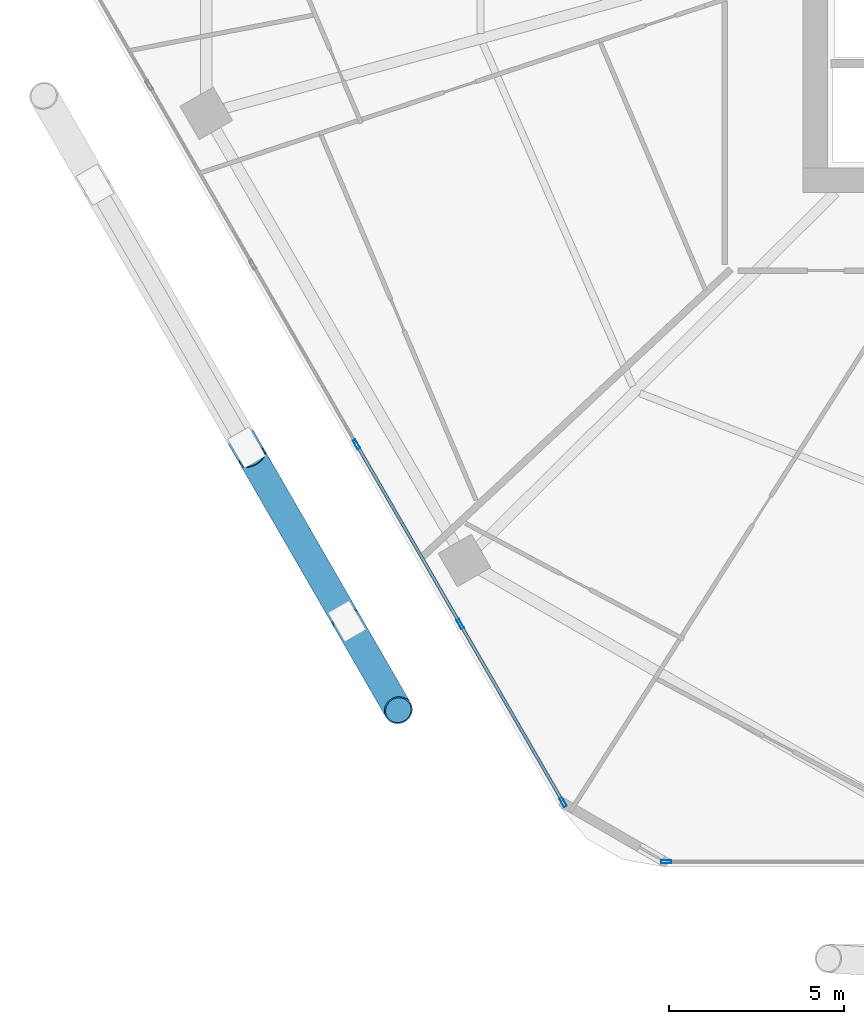
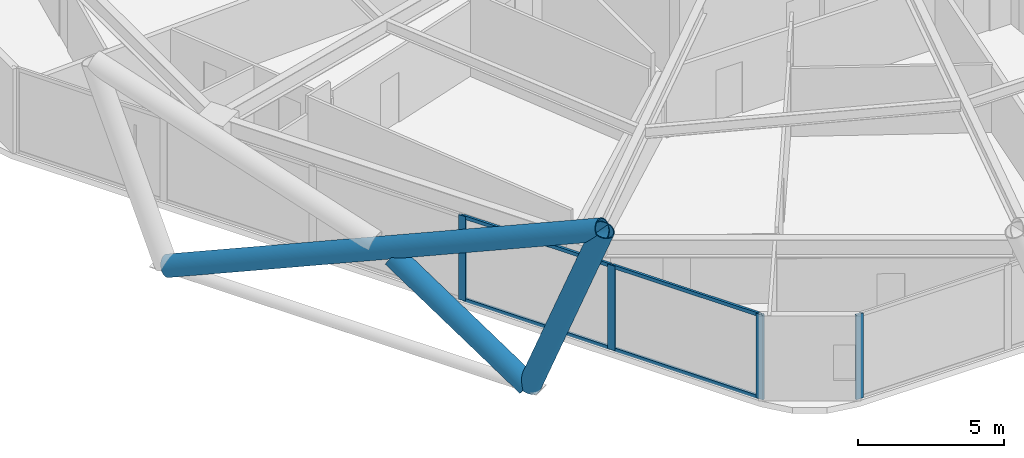
# One storey, part 2 of 34: 11 members, 2 elements without a shape of their own.
"""IFC4 building model written with IfcOpenShell, lengths in metres."""

from ifc_helpers import new_model, si_unit, direction, frame, origin, origin_2d, place, context, subcontext, project, spatial, hollow_rectangle, hollow_circle, extrude, material, material_profile, profile_set, type_object, element, aggregate, save


model = new_model("IFC4")

# Units and contexts
model_context = context("Model", 3, precision=1e-05, world=origin(), true_north=direction((0.0, 1.0)))
body_context = subcontext(model_context, "Body", "Model", "MODEL_VIEW")
ifc_project = project(units=[si_unit("LENGTHUNIT", "METRE"), si_unit("AREAUNIT", "SQUARE_METRE"), si_unit("VOLUMEUNIT", "CUBIC_METRE"), si_unit("PLANEANGLEUNIT", "RADIAN"), si_unit("MASSUNIT", "GRAM", prefix="KILO")], contexts=[model_context])

# Site, building, storey
site_placement = place(None, origin())
site = spatial("IfcSite", under=ifc_project, at=site_placement, CompositionType="ELEMENT")
building_placement = place(site_placement, origin())
building = spatial("IfcBuilding", under=site, at=building_placement, Name="Zuhravey Tower", CompositionType="ELEMENT")
storey_placement = place(building_placement, frame((0.0, 0.0, 130.39990234375)))
storey = spatial("IfcBuildingStorey", under=building, at=storey_placement, Name="L32", CompositionType="ELEMENT", Elevation=130.39990234375)

# Curtain wall, member
ifc_material_1 = material(Name="Thermally broken anodised aluminium", Category="aluminium")
curtain_wall_type = type_object("IfcCurtainWallType", Name="Zone 1-2 Residential Curtain Wall CW3", PredefinedType="NOTDEFINED", material=ifc_material_1)
curtain_wall_1_placement = place(storey_placement, origin())
curtain_wall_1 = element("IfcCurtainWall", 1, at=curtain_wall_1_placement, inside=storey, type_object=curtain_wall_type, Name="L32 CW3 CW-L32-F5-1", PredefinedType="NOTDEFINED")
ifc_material_2 = material(Name="Anodised aluminium", Category="aluminium")
ifc_material_profile_1 = material_profile(ifc_material_2, hollow_rectangle(XDim=0.090087890625, YDim=0.284912109375, WallThickness=0.0048828125, at=origin_2d()), Name="ALU-RHS-90x285x5")
ifc_profile_set_1 = profile_set([ifc_material_profile_1], Name="Anodised aluminium")
member_type_1 = type_object("IfcMemberType", Name="Curtain-Wall Mullion 90x180", PredefinedType="MULLION", material=ifc_profile_set_1)
member_1_placement = place(storey_placement, frame((21.24560546875, 3.04150390625, 0.0), z_axis=(0.0, 0.0, 1.0), x_axis=(0.0, -1.0, 0.0)))
member_1 = element("IfcMember", 2, at=member_1_placement, type_object=member_type_1, Name="CW3 mullion 6", PredefinedType="MULLION", context=body_context, shape_type="SweptSolid", body=[
    extrude(hollow_rectangle(XDim=0.090087890625, YDim=0.284912109375, WallThickness=0.0048828125, at=origin_2d()), origin(), (0.0, 0.0, 1.0), 3.550048828125),
])
aggregate(curtain_wall_1, [member_1])

# Curtain wall, members
curtain_wall_2_placement = place(storey_placement, origin())
curtain_wall_2 = element("IfcCurtainWall", 3, at=curtain_wall_2_placement, inside=storey, type_object=curtain_wall_type, Name="L32 CW3 CW-L32-F4-1", PredefinedType="NOTDEFINED")
member_2_placement = place(storey_placement, frame((18.298583984375, 4.742919921875, 0.0), z_axis=(0.0, 0.0, 1.0), x_axis=(-0.86602552265, -0.499999794119, 0.0)))
member_2 = element("IfcMember", 4, at=member_2_placement, type_object=member_type_1, Name="CW3 mullion 1", PredefinedType="MULLION", context=body_context, shape_type="SweptSolid", body=[
    extrude(hollow_rectangle(XDim=0.090087890625, YDim=0.284912109375, WallThickness=0.0048828125, at=origin_2d()), origin(), (0.0, 0.0, 1.0), 3.550048828125),
])
member_3_placement = place(storey_placement, frame((15.361083984375, 9.830810546875, 0.0), z_axis=(0.0, 0.0, 1.0), x_axis=(-0.86602552265, -0.499999794119, 0.0)))
member_3 = element("IfcMember", 5, at=member_3_placement, type_object=member_type_1, Name="CW3 mullion 2", PredefinedType="MULLION", context=body_context, shape_type="SweptSolid", body=[
    extrude(hollow_rectangle(XDim=0.090087890625, YDim=0.284912109375, WallThickness=0.0048828125, at=origin_2d()), origin(), (0.0, 0.0, 1.0), 3.550048828125),
])
member_4_placement = place(storey_placement, frame((12.401123046875, 14.95751953125, 0.0), z_axis=(0.0, 0.0, 1.0), x_axis=(-0.86602552265, -0.499999794119, 0.0)))
member_4 = element("IfcMember", 6, at=member_4_placement, type_object=member_type_1, Name="CW3 mullion 3", PredefinedType="MULLION", context=body_context, shape_type="SweptSolid", body=[
    extrude(hollow_rectangle(XDim=0.090087890625, YDim=0.284912109375, WallThickness=0.0048828125, at=origin_2d()), origin(), (0.0, 0.0, 1.0), 3.550048828125),
])
ifc_material_profile_2 = material_profile(ifc_material_2, hollow_rectangle(XDim=0.090087890625, YDim=0.14990234375, WallThickness=0.0048828125, at=origin_2d()), Name="ALU-RHS-90x150x5")
ifc_profile_set_2 = profile_set([ifc_material_profile_2], Name="Anodised aluminium")
member_type_2 = type_object("IfcMemberType", Name="Curtain-Wall Transom 90x150", PredefinedType="USERDEFINED", material=ifc_profile_set_2)
member_5_placement = place(storey_placement, frame((18.27587890625, 4.781982421875, 0.045166015625), z_axis=(-0.499992798144, 0.866029561738, 0.0), x_axis=(-0.866029561738, -0.499992798144, 0.0)))
member_5 = element("IfcMember", 7, at=member_5_placement, type_object=member_type_2, Name="CW3 transom 1.1", ObjectType="TRANSOM", PredefinedType="USERDEFINED", context=body_context, shape_type="SweptSolid", body=[
    extrude(hollow_rectangle(XDim=0.090087890625, YDim=0.14990234375, WallThickness=0.0048828125, at=origin_2d()), origin(), (0.0, 0.0, 1.0), 5.78466796875),
])
member_6_placement = place(storey_placement, frame((18.27587890625, 4.781982421875, 3.505126953125), z_axis=(-0.499992798144, 0.866029561738, 0.0), x_axis=(-0.866029561738, -0.499992798144, 0.0)))
member_6 = element("IfcMember", 8, at=member_6_placement, type_object=member_type_2, Name="CW3 transom 1.2", ObjectType="TRANSOM", PredefinedType="USERDEFINED", context=body_context, shape_type="SweptSolid", body=[
    extrude(hollow_rectangle(XDim=0.090087890625, YDim=0.14990234375, WallThickness=0.0048828125, at=origin_2d()), origin(), (0.0, 0.0, 1.0), 5.78466796875),
])
member_7_placement = place(storey_placement, frame((15.338623046875, 9.86962890625, 0.045166015625), z_axis=(-0.500012451049, 0.866018215049, 0.0), x_axis=(-0.866018215049, -0.500012451049, 0.0)))
member_7 = element("IfcMember", 9, at=member_7_placement, type_object=member_type_2, Name="CW3 transom 2.1", ObjectType="TRANSOM", PredefinedType="USERDEFINED", context=body_context, shape_type="SweptSolid", body=[
    extrude(hollow_rectangle(XDim=0.090087890625, YDim=0.14990234375, WallThickness=0.0048828125, at=origin_2d()), origin(), (0.0, 0.0, 1.0), 5.829833984375),
])
member_8_placement = place(storey_placement, frame((15.338623046875, 9.86962890625, 3.505126953125), z_axis=(-0.500012451049, 0.866018215049, 0.0), x_axis=(-0.866018215049, -0.500012451049, 0.0)))
member_8 = element("IfcMember", 10, at=member_8_placement, type_object=member_type_2, Name="CW3 transom 2.2", ObjectType="TRANSOM", PredefinedType="USERDEFINED", context=body_context, shape_type="SweptSolid", body=[
    extrude(hollow_rectangle(XDim=0.090087890625, YDim=0.14990234375, WallThickness=0.0048828125, at=origin_2d()), origin(), (0.0, 0.0, 1.0), 5.829833984375),
])
aggregate(curtain_wall_2, [member_2, member_3, member_4, member_5, member_6, member_7, member_8])

# Members
ifc_material_3 = material(Name="Steel SM460", Category="steel")
ifc_material_profile_3 = material_profile(ifc_material_3, hollow_circle(Radius=0.406494140625, WallThickness=0.035888671875, at=origin_2d()), Name="CHS-812.8x36")
ifc_profile_set_3 = profile_set([ifc_material_profile_3], Name="Steel SM460")
member_type_3 = type_object("IfcMemberType", Name="Exoskeleton Zone 1 Diagrid CHS813x36", PredefinedType="BRACE", material=ifc_profile_set_3)
member_9_placement = place(storey_placement, frame((4.959228515625, 22.327392578125, -0.44189453125), z_axis=(0.457899571463, -0.793119897067, 0.401607782957), x_axis=(0.866029382339, 0.499993108878, 0.0)))
element("IfcMember", 11, at=member_9_placement, inside=storey, type_object=member_type_3, Name="L32 Face 4 Diagrid Brace 2", PredefinedType="BRACE", context=body_context, shape_type="SweptSolid", body=[
    extrude(hollow_circle(Radius=0.406494140625, WallThickness=0.035888671875, at=origin_2d()), origin(), (0.0, 0.0, 1.0), 18.814208984375),
])
member_10_placement = place(storey_placement, frame((12.132080078125, 9.9033203125, -0.44189453125), z_axis=(0.180574288521, -0.312728273078, 0.932520216158), x_axis=(0.866000778371, 0.500042650041, 0.0)))
element("IfcMember", 12, at=member_10_placement, inside=storey, type_object=member_type_3, Name="L32 Face 4 Diagrid Brace 4", PredefinedType="BRACE", context=body_context, shape_type="SweptSolid", body=[
    extrude(hollow_circle(Radius=0.406494140625, WallThickness=0.035888671875, at=origin_2d()), origin(), (0.0, 0.0, 1.0), 8.102783203125),
])
member_11_placement = place(storey_placement, frame((12.10498046875, 9.9501953125, -0.43359375), z_axis=(-0.416513083029, 0.721451330682, 0.553195109453), x_axis=(-0.866034259299, -0.499984661485, 0.0)))
element("IfcMember", 13, at=member_11_placement, inside=storey, type_object=member_type_3, Name="L32 Face 4 Split Diagrid Brace 3A", PredefinedType="BRACE", context=body_context, shape_type="SweptSolid", body=[
    extrude(hollow_circle(Radius=0.406494140625, WallThickness=0.035888671875, at=origin_2d()), origin(), (0.0, 0.0, 1.0), 6.417724609375),
])

save(model, "model.ifc")
